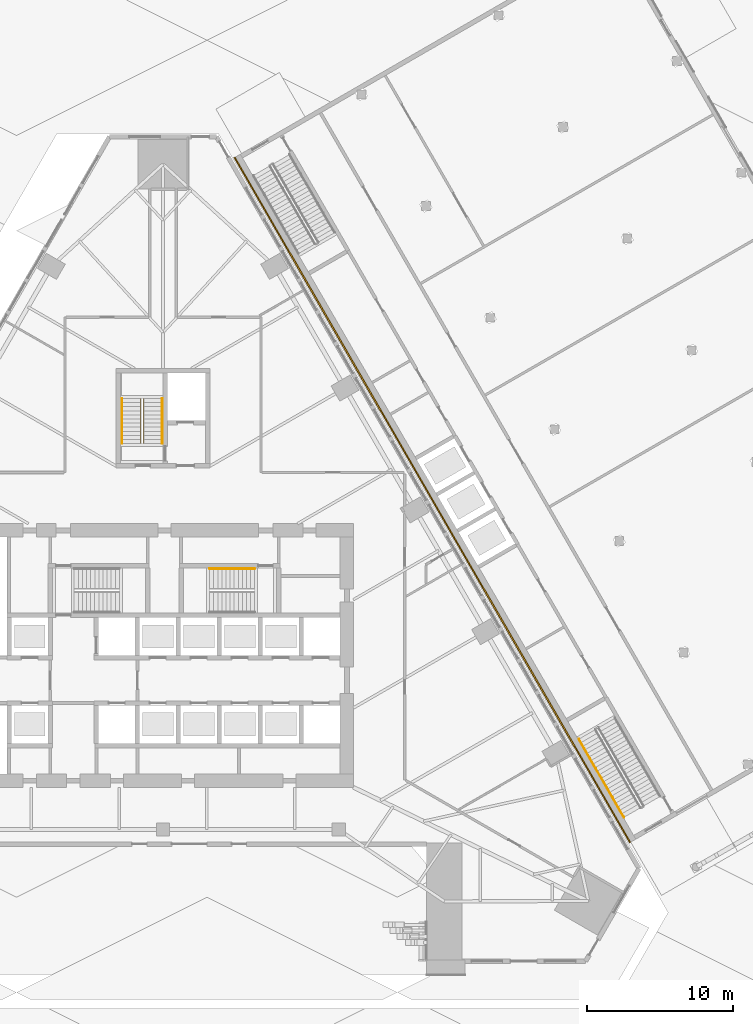
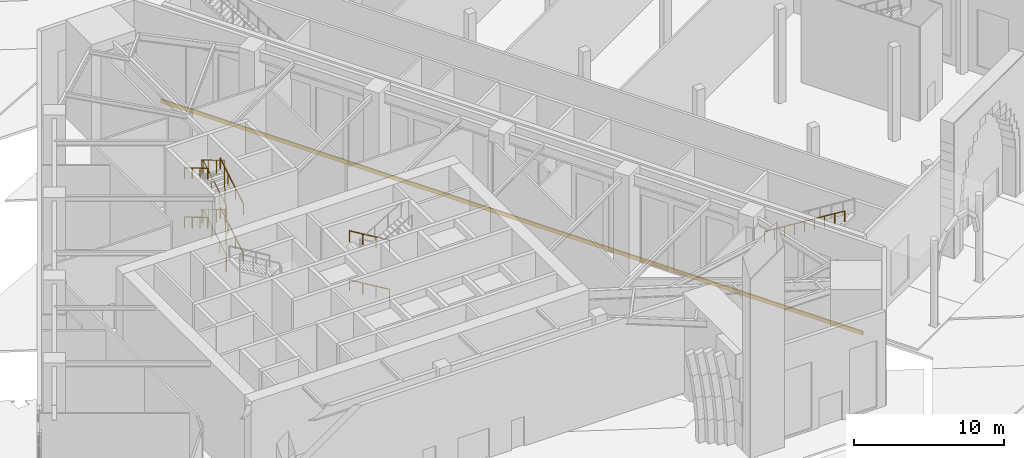
# One storey, part 27 of 34: 9 railings, 1 covering.
"""IFC4 building model written with IfcOpenShell, lengths in metres."""

from ifc_helpers import new_model, si_unit, direction, frame, origin, origin_2d, place, context, subcontext, project, spatial, rectangle, circle, extrude, material, layer, layer_set, type_object, element, save


model = new_model("IFC4")

# Units and contexts
model_context = context("Model", 3, precision=1e-05, world=origin(), true_north=direction((0.0, 1.0)))
body_context = subcontext(model_context, "Body", "Model", "MODEL_VIEW")
ifc_project = project(units=[si_unit("LENGTHUNIT", "METRE"), si_unit("AREAUNIT", "SQUARE_METRE"), si_unit("VOLUMEUNIT", "CUBIC_METRE"), si_unit("PLANEANGLEUNIT", "RADIAN"), si_unit("MASSUNIT", "GRAM", prefix="KILO")], contexts=[model_context])

# Site, building, storey
site_placement = place(None, origin())
site = spatial("IfcSite", under=ifc_project, at=site_placement, CompositionType="ELEMENT")
building_placement = place(site_placement, origin())
building = spatial("IfcBuilding", under=site, at=building_placement, Name="Firuza Gate Tower and Library", CompositionType="ELEMENT")
storey_placement = place(building_placement, origin())
storey = spatial("IfcBuildingStorey", under=building, at=storey_placement, Name="L00", CompositionType="ELEMENT", Elevation=0.0)

# Railings
ifc_material_1 = material(Name="Steel S355", Category="steel")
railing_type_1 = type_object("IfcRailingType", Name="LIB HANDRAIL", PredefinedType="HANDRAIL", material=ifc_material_1)
railing_1_placement = place(storey_placement, frame((103.392822265625, 69.29150390625, 4.173828125)))
element("IfcRailing", 1, at=railing_1_placement, inside=storey, type_object=railing_type_1, Name="L00 LIB-ST-B stair handrail 2a", PredefinedType="HANDRAIL", context=body_context, shape_type="SweptSolid", body=[
    extrude(circle(Radius=0.02392578125, at=origin_2d()), frame((0.0, 0.0, 0.8759765625), z_axis=(0.424700063776, -0.735666433606, 0.527659695537), x_axis=(0.866044340336, 0.499967199496, 0.0)), (0.0, 0.0, 1.0), 3.62548828125),
    extrude(circle(Radius=0.02099609375, at=origin_2d()), origin(), (0.0, 0.0, 1.0), 0.851806640625),
    extrude(circle(Radius=0.02099609375, at=origin_2d()), frame((0.385009765625, -0.666748046875, 0.478271484375)), (0.0, 0.0, 1.0), 0.851806640625),
    extrude(circle(Radius=0.02099609375, at=origin_2d()), frame((0.77001953125, -1.33349609375, 0.95654296875)), (0.0, 0.0, 1.0), 0.851806640625),
    extrude(circle(Radius=0.02099609375, at=origin_2d()), frame((1.15478515625, -2.00048828125, 1.434814453125)), (0.0, 0.0, 1.0), 0.851806640625),
    extrude(circle(Radius=0.02099609375, at=origin_2d()), frame((1.539794921875, -2.667236328125, 1.9130859375)), (0.0, 0.0, 1.0), 0.851806640625),
])
railing_2_placement = place(storey_placement, frame((104.9326171875, 66.624267578125, 6.0869140625)))
element("IfcRailing", 2, at=railing_2_placement, inside=storey, type_object=railing_type_1, Name="L00 LIB-ST-B stair handrail 2b", PredefinedType="HANDRAIL", context=body_context, shape_type="SweptSolid", body=[
    extrude(circle(Radius=0.02392578125, at=origin_2d()), frame((0.0, 0.0, 0.8759765625), z_axis=(0.424734213735, -0.735676287139, 0.527618468426), x_axis=(0.866029832698, 0.499992328818, 0.0)), (0.0, 0.0, 1.0), 3.6259765625),
    extrude(circle(Radius=0.02099609375, at=origin_2d()), origin(), (0.0, 0.0, 1.0), 0.851806640625),
    extrude(circle(Radius=0.02099609375, at=origin_2d()), frame((0.385009765625, -0.6669921875, 0.478271484375)), (0.0, 0.0, 1.0), 0.851806640625),
    extrude(circle(Radius=0.02099609375, at=origin_2d()), frame((0.77001953125, -1.333740234375, 0.95654296875)), (0.0, 0.0, 1.0), 0.851806640625),
    extrude(circle(Radius=0.02099609375, at=origin_2d()), frame((1.155029296875, -2.00048828125, 1.434814453125)), (0.0, 0.0, 1.0), 0.851806640625),
    extrude(circle(Radius=0.02099609375, at=origin_2d()), frame((1.5400390625, -2.66748046875, 1.9130859375)), (0.0, 0.0, 1.0), 0.851806640625),
])

# Covering
ifc_material_2 = material(Name="Stainless steel 316", Category="steel")
ifc_layer = layer(ifc_material_2, 0.10009765625)
ifc_layer_set = layer_set([ifc_layer], Name="LIB JOINT COVER")
covering_type = type_object("IfcCoveringType", Name="LIB JOINT COVER", PredefinedType="MOLDING", material=ifc_layer_set)
covering_placement = place(storey_placement, frame((93.3896484375, 85.6171875, -0.2998046875), z_axis=(0.0, 0.0, 1.0), x_axis=(-0.5, 0.866025403784, 0.0)))
element("IfcCovering", 3, at=covering_placement, inside=storey, type_object=covering_type, Name="Movement joint cover L00", PredefinedType="MOLDING", context=body_context, shape_type="SweptSolid", body=[
    extrude(rectangle(XDim=54.0, YDim=0.10009765625, at=origin_2d()), origin(), (0.0, 0.0, 1.0), 0.300048828125),
])

# Railings
ifc_material_3 = material(Name="Steel S355", Category="steel")
railing_type_2 = type_object("IfcRailingType", Name="Stair guard 1100", PredefinedType="GUARDRAIL", material=ifc_material_3)
railing_3_placement = place(storey_placement, frame((73.679931640625, 89.469970703125, 0.166748046875)))
element("IfcRailing", 4, at=railing_3_placement, inside=storey, type_object=railing_type_2, Name="L00 ST3 stair guard 1", PredefinedType="GUARDRAIL", context=body_context, shape_type="SweptSolid", body=[
    extrude(circle(Radius=0.02392578125, at=origin_2d()), frame((0.0, 0.0, 1.076171875), z_axis=(0.0, 0.859308565015, 0.511457515432), x_axis=(-1.0, 0.0, 0.0)), (0.0, 0.0, 1.0), 3.58447265625),
    extrude(circle(Radius=0.02392578125, at=origin_2d()), frame((0.0, 3.080078125, 2.9091796875), z_axis=(-0.707106781187, 0.707106781187, 0.0), x_axis=(-0.707106781187, -0.707106781187, 0.0)), (0.0, 0.0, 1.0), 0.07080078125),
    extrude(circle(Radius=0.02392578125, at=origin_2d()), frame((-0.050048828125, 3.130126953125, 2.9091796875), z_axis=(-1.0, 0.0, 0.0), x_axis=(0.0, -1.0, 0.0)), (0.0, 0.0, 1.0), 0.099853515625),
    extrude(circle(Radius=0.02392578125, at=origin_2d()), frame((-0.14990234375, 3.130126953125, 2.9091796875), z_axis=(-0.27628659633, -0.27628659633, 0.920506074601), x_axis=(0.707106781187, -0.707106781187, 0.0)), (0.0, 0.0, 1.0), 0.18115234375),
    extrude(circle(Radius=0.02392578125, at=origin_2d()), frame((-0.199951171875, 3.080078125, 3.076171875), z_axis=(0.0, -0.859308565015, 0.511457515432), x_axis=(1.0, 0.0, 0.0)), (0.0, 0.0, 1.0), 3.58447265625),
    extrude(circle(Radius=0.02392578125, at=origin_2d()), frame((-0.199951171875, 0.0, 4.9091796875), z_axis=(0.948528701346, -0.316691178788, 0.0), x_axis=(0.316691178788, 0.948528701346, 0.0)), (0.0, 0.0, 1.0), 0.157958984375),
    extrude(circle(Radius=0.02392578125, at=origin_2d()), frame((-0.050048828125, -0.050048828125, 4.9091796875), z_axis=(-1.0, 0.0, 0.0), x_axis=(0.0, -1.0, 0.0)), (0.0, 0.0, 1.0), 0.099853515625),
    extrude(circle(Radius=0.02392578125, at=origin_2d()), frame((-0.14990234375, -0.050048828125, 4.9091796875), z_axis=(0.652486658687, 0.217849780181, 0.72581170665), x_axis=(-0.316691178788, 0.948528701346, 0.0)), (0.0, 0.0, 1.0), 0.229736328125),
    extrude(circle(Radius=0.02392578125, at=origin_2d()), frame((0.0, 0.0, 5.076171875), z_axis=(0.0, 0.859308565015, 0.511457515432), x_axis=(-1.0, 0.0, 0.0)), (0.0, 0.0, 1.0), 3.58447265625),
    extrude(circle(Radius=0.02392578125, at=origin_2d()), frame((0.0, 3.080078125, 6.9091796875), z_axis=(-0.707106781187, 0.707106781187, 0.0), x_axis=(-0.707106781187, -0.707106781187, 0.0)), (0.0, 0.0, 1.0), 0.07080078125),
    extrude(circle(Radius=0.02392578125, at=origin_2d()), frame((-0.050048828125, 3.130126953125, 6.9091796875), z_axis=(-1.0, 0.0, 0.0), x_axis=(0.0, -1.0, 0.0)), (0.0, 0.0, 1.0), 0.099853515625),
    extrude(circle(Radius=0.02392578125, at=origin_2d()), frame((-0.14990234375, 3.130126953125, 6.9091796875), z_axis=(-0.27628659633, -0.27628659633, 0.920506074601), x_axis=(0.707106781187, -0.707106781187, 0.0)), (0.0, 0.0, 1.0), 0.18115234375),
    extrude(circle(Radius=0.02392578125, at=origin_2d()), frame((-0.199951171875, 3.080078125, 7.076171875), z_axis=(0.0, -0.859308565015, 0.511457515432), x_axis=(1.0, 0.0, 0.0)), (0.0, 0.0, 1.0), 3.58447265625),
    extrude(circle(Radius=0.02392578125, at=origin_2d()), frame((-0.199951171875, 0.0, 8.9091796875), z_axis=(0.018734137886, -0.00625488317, -0.999804935232), x_axis=(0.316691178788, 0.948528701346, 0.0)), (0.0, 0.0, 1.0), 8.00146484375),
    extrude(circle(Radius=0.02392578125, at=origin_2d()), frame((-0.050048828125, -0.050048828125, 0.9091796875), z_axis=(-1.0, 0.0, 0.0), x_axis=(0.0, -1.0, 0.0)), (0.0, 0.0, 1.0), 0.099853515625),
    extrude(circle(Radius=0.02099609375, at=origin_2d()), origin(), (0.0, 0.0, 1.0), 1.052001953125),
    extrude(circle(Radius=0.02099609375, at=origin_2d()), frame((0.0, 1.026611328125, 0.611083984375)), (0.0, 0.0, 1.0), 1.052001953125),
    extrude(circle(Radius=0.02099609375, at=origin_2d()), frame((0.0, 2.053466796875, 1.22216796875)), (0.0, 0.0, 1.0), 1.052001953125),
    extrude(circle(Radius=0.02099609375, at=origin_2d()), frame((0.0, 3.080078125, 1.833251953125)), (0.0, 0.0, 1.0), 1.052001953125),
    extrude(circle(Radius=0.02099609375, at=origin_2d()), frame((-0.050048828125, 3.130126953125, 1.833251953125)), (0.0, 0.0, 1.0), 1.052001953125),
    extrude(circle(Radius=0.02099609375, at=origin_2d()), frame((-0.14990234375, 3.130126953125, 1.833251953125)), (0.0, 0.0, 1.0), 1.052001953125),
    extrude(circle(Radius=0.02099609375, at=origin_2d()), frame((-0.199951171875, 3.080078125, 2.0)), (0.0, 0.0, 1.0), 1.052001953125),
    extrude(circle(Radius=0.02099609375, at=origin_2d()), frame((-0.199951171875, 2.053466796875, 2.611083984375)), (0.0, 0.0, 1.0), 1.052001953125),
    extrude(circle(Radius=0.02099609375, at=origin_2d()), frame((-0.199951171875, 1.026611328125, 3.22216796875)), (0.0, 0.0, 1.0), 1.052001953125),
    extrude(circle(Radius=0.02099609375, at=origin_2d()), frame((-0.199951171875, 0.0, 3.833251953125)), (0.0, 0.0, 1.0), 1.052001953125),
    extrude(circle(Radius=0.02099609375, at=origin_2d()), frame((-0.050048828125, -0.050048828125, 3.833251953125)), (0.0, 0.0, 1.0), 1.052001953125),
    extrude(circle(Radius=0.02099609375, at=origin_2d()), frame((-0.14990234375, -0.050048828125, 3.833251953125)), (0.0, 0.0, 1.0), 1.052001953125),
    extrude(circle(Radius=0.02099609375, at=origin_2d()), frame((0.0, 0.0, 4.0)), (0.0, 0.0, 1.0), 1.052001953125),
    extrude(circle(Radius=0.02099609375, at=origin_2d()), frame((0.0, 1.026611328125, 4.611083984375)), (0.0, 0.0, 1.0), 1.052001953125),
    extrude(circle(Radius=0.02099609375, at=origin_2d()), frame((0.0, 2.053466796875, 5.22216796875)), (0.0, 0.0, 1.0), 1.052001953125),
    extrude(circle(Radius=0.02099609375, at=origin_2d()), frame((0.0, 3.080078125, 5.833251953125)), (0.0, 0.0, 1.0), 1.052001953125),
    extrude(circle(Radius=0.02099609375, at=origin_2d()), frame((-0.050048828125, 3.130126953125, 5.833251953125)), (0.0, 0.0, 1.0), 1.052001953125),
    extrude(circle(Radius=0.02099609375, at=origin_2d()), frame((-0.14990234375, 3.130126953125, 5.833251953125)), (0.0, 0.0, 1.0), 1.052001953125),
    extrude(circle(Radius=0.02099609375, at=origin_2d()), frame((-0.199951171875, 3.080078125, 6.0)), (0.0, 0.0, 1.0), 1.052001953125),
    extrude(circle(Radius=0.02099609375, at=origin_2d()), frame((-0.199951171875, 2.053466796875, 6.611083984375)), (0.0, 0.0, 1.0), 1.052001953125),
    extrude(circle(Radius=0.02099609375, at=origin_2d()), frame((-0.199951171875, 1.026611328125, 7.22216796875)), (0.0, 0.0, 1.0), 1.052001953125),
    extrude(circle(Radius=0.02099609375, at=origin_2d()), frame((-0.199951171875, 0.0, 7.833251953125)), (0.0, 0.0, 1.0), 1.052001953125),
    extrude(circle(Radius=0.02099609375, at=origin_2d()), frame((-0.178466796875, -0.007080078125, 6.6904296875)), (0.0, 0.0, 1.0), 1.052001953125),
    extrude(circle(Radius=0.02099609375, at=origin_2d()), frame((-0.1572265625, -0.014404296875, 5.547607421875)), (0.0, 0.0, 1.0), 1.052001953125),
    extrude(circle(Radius=0.02099609375, at=origin_2d()), frame((-0.1357421875, -0.021484375, 4.40478515625)), (0.0, 0.0, 1.0), 1.052001953125),
    extrude(circle(Radius=0.02099609375, at=origin_2d()), frame((-0.1142578125, -0.028564453125, 3.26171875)), (0.0, 0.0, 1.0), 1.052001953125),
    extrude(circle(Radius=0.02099609375, at=origin_2d()), frame((-0.0927734375, -0.03564453125, 2.118896484375)), (0.0, 0.0, 1.0), 1.052001953125),
    extrude(circle(Radius=0.02099609375, at=origin_2d()), frame((-0.071533203125, -0.04296875, 0.97607421875)), (0.0, 0.0, 1.0), 1.052001953125),
    extrude(circle(Radius=0.02099609375, at=origin_2d()), frame((-0.050048828125, -0.050048828125, -0.166748046875)), (0.0, 0.0, 1.0), 1.052001953125),
    extrude(circle(Radius=0.02099609375, at=origin_2d()), frame((-0.14990234375, -0.050048828125, -0.166748046875)), (0.0, 0.0, 1.0), 1.052001953125),
])
ifc_material_4 = material(Name="Steel S355", Category="steel")
railing_type_3 = type_object("IfcRailingType", Name="Stair handrail 900", PredefinedType="HANDRAIL", material=ifc_material_4)
for number, where, name in (
    (5, (81.260009765625, 80.929931640625, 0.166748046875), "L00 ST2 stair handrail 1"),
    (6, (81.260009765625, 80.929931640625, 4.166748046875), "L00 ST2 stair handrail 3"),
):
    element("IfcRailing", number, at=place(storey_placement, frame(where)), inside=storey, type_object=railing_type_3, Name=name, PredefinedType="HANDRAIL", context=body_context, shape_type="SweptSolid", body=[
        extrude(circle(Radius=0.02392578125, at=origin_2d()), frame((0.0, 0.0, 0.8759765625), z_axis=(-0.859308565015, 0.0, 0.511457515432), x_axis=(0.0, -1.0, 0.0)), (0.0, 0.0, 1.0), 3.58447265625),
        extrude(circle(Radius=0.02099609375, at=origin_2d()), origin(), (0.0, 0.0, 1.0), 0.851806640625),
        extrude(circle(Radius=0.02099609375, at=origin_2d()), frame((-1.026611328125, 0.0, 0.611083984375)), (0.0, 0.0, 1.0), 0.851806640625),
        extrude(circle(Radius=0.02099609375, at=origin_2d()), frame((-2.053466796875, 0.0, 1.22216796875)), (0.0, 0.0, 1.0), 0.851806640625),
        extrude(circle(Radius=0.02099609375, at=origin_2d()), frame((-3.080078125, 0.0, 1.833251953125)), (0.0, 0.0, 1.0), 0.851806640625),
    ])
railing_4_placement = place(storey_placement, frame((74.949951171875, 89.469970703125, 0.166748046875)))
element("IfcRailing", 7, at=railing_4_placement, inside=storey, type_object=railing_type_3, Name="L00 ST3 stair handrail 1", PredefinedType="HANDRAIL", context=body_context, shape_type="SweptSolid", body=[
    extrude(circle(Radius=0.02392578125, at=origin_2d()), frame((0.0, 0.0, 0.8759765625), z_axis=(0.0, 0.859308565015, 0.511457515432), x_axis=(-1.0, 0.0, 0.0)), (0.0, 0.0, 1.0), 3.58447265625),
    extrude(circle(Radius=0.02099609375, at=origin_2d()), origin(), (0.0, 0.0, 1.0), 0.851806640625),
    extrude(circle(Radius=0.02099609375, at=origin_2d()), frame((0.0, 1.026611328125, 0.611083984375)), (0.0, 0.0, 1.0), 0.851806640625),
    extrude(circle(Radius=0.02099609375, at=origin_2d()), frame((0.0, 2.053466796875, 1.22216796875)), (0.0, 0.0, 1.0), 0.851806640625),
    extrude(circle(Radius=0.02099609375, at=origin_2d()), frame((0.0, 3.080078125, 1.833251953125)), (0.0, 0.0, 1.0), 0.851806640625),
])
railing_5_placement = place(storey_placement, frame((72.2099609375, 92.550048828125, 2.166748046875)))
element("IfcRailing", 8, at=railing_5_placement, inside=storey, type_object=railing_type_3, Name="L00 ST3 stair handrail 2", PredefinedType="HANDRAIL", context=body_context, shape_type="SweptSolid", body=[
    extrude(circle(Radius=0.02392578125, at=origin_2d()), frame((0.0, 0.0, 0.8759765625), z_axis=(0.0, -0.859308565015, 0.511457515432), x_axis=(1.0, 0.0, 0.0)), (0.0, 0.0, 1.0), 3.58447265625),
    extrude(circle(Radius=0.02099609375, at=origin_2d()), origin(), (0.0, 0.0, 1.0), 0.851806640625),
    extrude(circle(Radius=0.02099609375, at=origin_2d()), frame((0.0, -1.026611328125, 0.611083984375)), (0.0, 0.0, 1.0), 0.851806640625),
    extrude(circle(Radius=0.02099609375, at=origin_2d()), frame((0.0, -2.053466796875, 1.22216796875)), (0.0, 0.0, 1.0), 0.851806640625),
    extrude(circle(Radius=0.02099609375, at=origin_2d()), frame((0.0, -3.080078125, 1.833251953125)), (0.0, 0.0, 1.0), 0.851806640625),
])
railing_6_placement = place(storey_placement, frame((74.949951171875, 89.469970703125, 4.166748046875)))
element("IfcRailing", 9, at=railing_6_placement, inside=storey, type_object=railing_type_3, Name="L00 ST3 stair handrail 3", PredefinedType="HANDRAIL", context=body_context, shape_type="SweptSolid", body=[
    extrude(circle(Radius=0.02392578125, at=origin_2d()), frame((0.0, 0.0, 0.8759765625), z_axis=(0.0, 0.859308565015, 0.511457515432), x_axis=(-1.0, 0.0, 0.0)), (0.0, 0.0, 1.0), 3.58447265625),
    extrude(circle(Radius=0.02099609375, at=origin_2d()), origin(), (0.0, 0.0, 1.0), 0.851806640625),
    extrude(circle(Radius=0.02099609375, at=origin_2d()), frame((0.0, 1.026611328125, 0.611083984375)), (0.0, 0.0, 1.0), 0.851806640625),
    extrude(circle(Radius=0.02099609375, at=origin_2d()), frame((0.0, 2.053466796875, 1.22216796875)), (0.0, 0.0, 1.0), 0.851806640625),
    extrude(circle(Radius=0.02099609375, at=origin_2d()), frame((0.0, 3.080078125, 1.833251953125)), (0.0, 0.0, 1.0), 0.851806640625),
])
railing_7_placement = place(storey_placement, frame((72.2099609375, 92.550048828125, 6.166748046875)))
element("IfcRailing", 10, at=railing_7_placement, inside=storey, type_object=railing_type_3, Name="L00 ST3 stair handrail 4", PredefinedType="HANDRAIL", context=body_context, shape_type="SweptSolid", body=[
    extrude(circle(Radius=0.02392578125, at=origin_2d()), frame((0.0, 0.0, 0.8759765625), z_axis=(0.0, -0.859308565015, 0.511457515432), x_axis=(1.0, 0.0, 0.0)), (0.0, 0.0, 1.0), 3.58447265625),
    extrude(circle(Radius=0.02099609375, at=origin_2d()), origin(), (0.0, 0.0, 1.0), 0.851806640625),
    extrude(circle(Radius=0.02099609375, at=origin_2d()), frame((0.0, -1.026611328125, 0.611083984375)), (0.0, 0.0, 1.0), 0.851806640625),
    extrude(circle(Radius=0.02099609375, at=origin_2d()), frame((0.0, -2.053466796875, 1.22216796875)), (0.0, 0.0, 1.0), 0.851806640625),
    extrude(circle(Radius=0.02099609375, at=origin_2d()), frame((0.0, -3.080078125, 1.833251953125)), (0.0, 0.0, 1.0), 0.851806640625),
])

save(model, "model.ifc")
